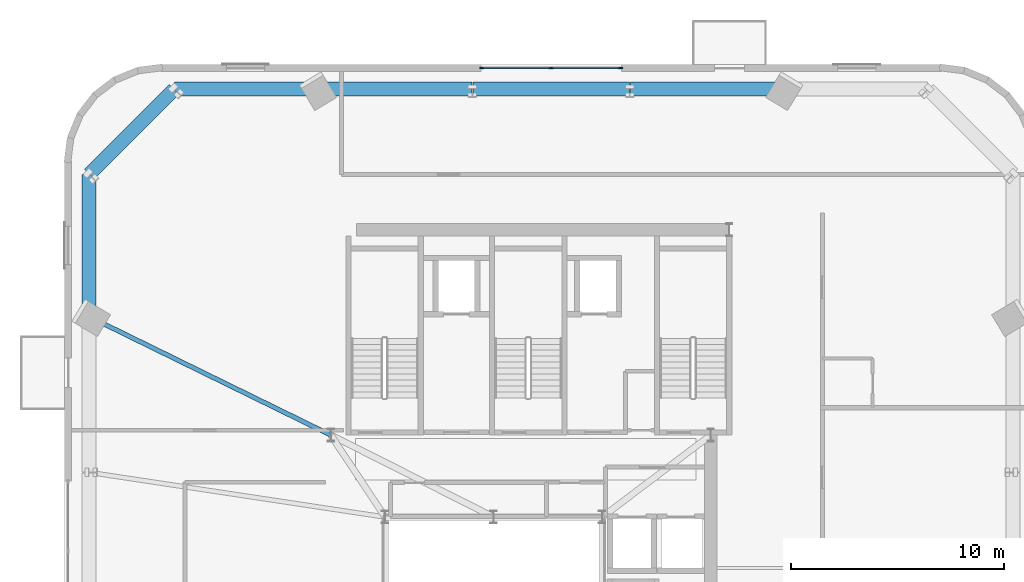
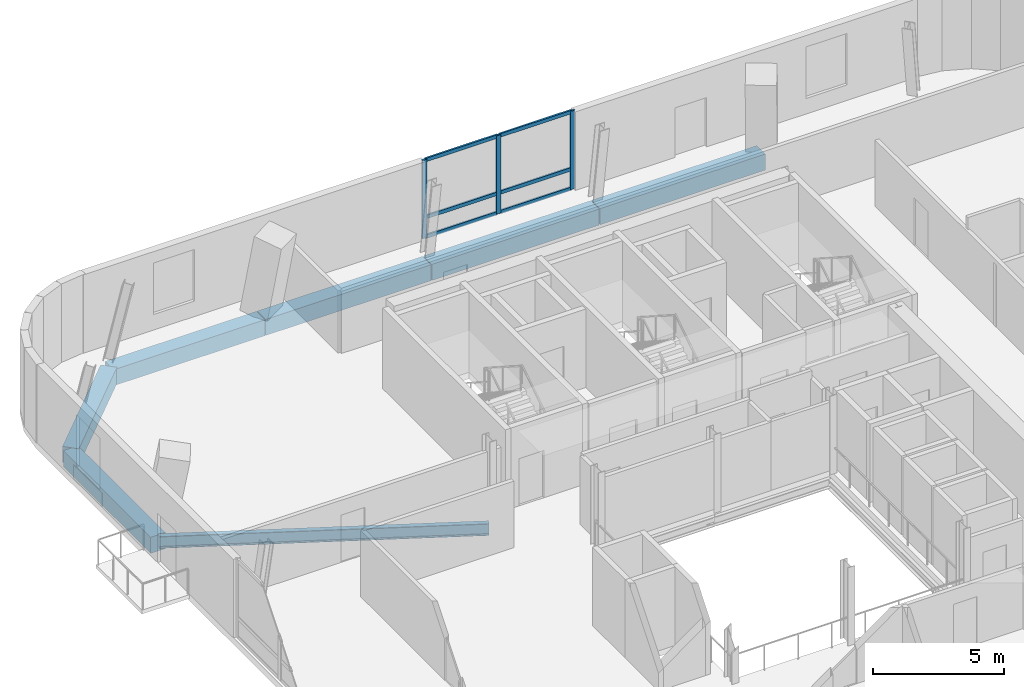
# One storey, part 6 of 15: 9 members, 7 beams, 1 element without a shape of its own.
"""IFC4 building model written with IfcOpenShell, lengths in metres."""

from ifc_helpers import new_model, si_unit, direction, frame, origin, origin_2d, place, context, subcontext, project, spatial, rectangle, i_section, extrude, source, transform, mapped, material, material_profile, profile_set, type_object, element, aggregate, save


model = new_model("IFC4")

# Units and contexts
model_context = context("Model", 3, precision=1e-05, world=origin(), true_north=direction((0.0, 1.0)))
body_context = subcontext(model_context, "Body", "Model", "MODEL_VIEW")
ifc_project = project(units=[si_unit("LENGTHUNIT", "METRE"), si_unit("AREAUNIT", "SQUARE_METRE"), si_unit("VOLUMEUNIT", "CUBIC_METRE"), si_unit("PLANEANGLEUNIT", "RADIAN"), si_unit("MASSUNIT", "GRAM", prefix="KILO")], contexts=[model_context])

# Site, building, storey
site_placement = place(None, origin())
site = spatial("IfcSite", under=ifc_project, at=site_placement, CompositionType="ELEMENT")
building_placement = place(site_placement, origin())
building = spatial("IfcBuilding", under=site, at=building_placement, Name="Vardaveli Station Tower", CompositionType="ELEMENT")
storey_placement = place(building_placement, frame((0.0, 0.0, 258.5)))
storey = spatial("IfcBuildingStorey", under=building, at=storey_placement, Name="L66", CompositionType="ELEMENT", Elevation=258.5)

# Beams
ifc_material_1 = material(Name="Precast concrete C45/55", Category="concrete")
ifc_material_profile_1 = material_profile(ifc_material_1, rectangle(XDim=0.64990234375, YDim=0.75, at=origin_2d()), Name="LPB 650x750")
ifc_profile_set_1 = profile_set([ifc_material_profile_1], Name="Precast concrete C45/55")
beam_type_1 = type_object("IfcBeamType", Name="BM-LPB-750", PredefinedType="BEAM", material=ifc_profile_set_1)
shared_shape_1 = source(origin(), body_context, "Body", "SweptSolid", [
    extrude(rectangle(XDim=0.64990234375, YDim=0.75, at=origin_2d()), origin(), (0.0, 0.0, 1.0), 7.35986328125),
])
beam_1_placement = place(storey_placement, frame((42.679931640625, 46.909912109375, -0.675048828125), z_axis=(-1.0, 0.0, 0.0), x_axis=(0.0, -1.0, 0.0)))
element("IfcBeam", 1, at=beam_1_placement, inside=storey, type_object=beam_type_1, Name="RBM-L66-14", PredefinedType="BEAM", context=body_context, shape_type="MappedRepresentation", body=[
    mapped(shared_shape_1, transform((0.0, 0.0, 0.0), scale=1.0)),
])
shared_shape_2 = source(origin(), body_context, "Body", "SweptSolid", [
    extrude(rectangle(XDim=0.64990234375, YDim=0.75, at=origin_2d()), origin(), (0.0, 0.0, 1.0), 5.61669921875),
])
beam_2_placement = place(storey_placement, frame((21.27587890625, 46.895751953125, -0.675048828125), z_axis=(-0.707106781187, -0.707106781187, 0.0), x_axis=(0.707106781187, -0.707106781187, 0.0)))
element("IfcBeam", 2, at=beam_2_placement, inside=storey, type_object=beam_type_1, Name="RBM-L66-17", PredefinedType="BEAM", context=body_context, shape_type="MappedRepresentation", body=[
    mapped(shared_shape_2, transform((0.0, 0.0, 0.0), scale=1.0)),
])
shared_shape_3 = source(origin(), body_context, "Body", "SweptSolid", [
    extrude(rectangle(XDim=0.64990234375, YDim=0.75, at=origin_2d()), origin(), (0.0, 0.0, 1.0), 7.276123046875),
])
for number, where, z_axis, x_axis, name in (
    (3, (49.99609375, 46.909912109375, -0.675048828125), (-1.0, 0.0, 0.0), (0.0, -1.0, 0.0), "RBM-L66-13"),
    (4, (35.280029296875, 46.909912109375, -0.675048828125), (-1.0, 0.0, 0.0), (0.0, -1.0, 0.0), "RBM-L66-15"),
):
    element("IfcBeam", number, at=place(storey_placement, frame(where, z_axis=z_axis, x_axis=x_axis)), inside=storey, type_object=beam_type_1, Name=name, PredefinedType="BEAM", context=body_context, shape_type="MappedRepresentation", body=[
        mapped(shared_shape_3, transform((0.0, 0.0, 0.0), scale=1.0)),
    ])
shared_shape_4 = source(origin(), body_context, "Body", "SweptSolid", [
    extrude(rectangle(XDim=0.64990234375, YDim=0.75, at=origin_2d()), origin(), (0.0, 0.0, 1.0), 6.654052734375),
])
beam_3_placement = place(storey_placement, frame((27.964111328125, 46.909912109375, -0.675048828125), z_axis=(-1.0, 0.0, 0.0), x_axis=(0.0, -1.0, 0.0)))
element("IfcBeam", 5, at=beam_3_placement, inside=storey, type_object=beam_type_1, Name="RBM-L66-16", PredefinedType="BEAM", context=body_context, shape_type="MappedRepresentation", body=[
    mapped(shared_shape_4, transform((0.0, 0.0, 0.0), scale=1.0)),
])
shared_shape_5 = source(origin(), body_context, "Body", "SweptSolid", [
    extrude(rectangle(XDim=0.64990234375, YDim=0.75, at=origin_2d()), origin(), (0.0, 0.0, 1.0), 6.65380859375),
])
beam_4_placement = place(storey_placement, frame((17.2900390625, 42.889892578125, -0.675048828125), z_axis=(0.0, -1.0, 0.0), x_axis=(1.0, 0.0, 0.0)))
element("IfcBeam", 6, at=beam_4_placement, inside=storey, type_object=beam_type_1, Name="RBM-L66-18", PredefinedType="BEAM", context=body_context, shape_type="MappedRepresentation", body=[
    mapped(shared_shape_5, transform((0.0, 0.0, 0.0), scale=1.0)),
])
ifc_material_2 = material(Name="Structural steel S355J2", Category="steel")
ifc_material_profile_2 = material_profile(ifc_material_2, i_section(OverallWidth=0.2099609375, OverallDepth=0.550048828125, WebThickness=0.010986328125, FlangeThickness=0.01708984375, FilletRadius=0.02392578125, at=origin_2d()), Name="IPE 550")
ifc_profile_set_2 = profile_set([ifc_material_profile_2], Name="Structural steel S355J2")
beam_type_2 = type_object("IfcBeamType", Name="BM-IPE550", PredefinedType="BEAM", material=ifc_profile_set_2)
shared_shape_6 = source(origin(), body_context, "Body", "SweptSolid", [
    extrude(i_section(OverallWidth=0.2099609375, OverallDepth=0.550048828125, WebThickness=0.010986328125, FlangeThickness=0.01708984375, FilletRadius=0.02392578125, at=origin_2d()), origin(), (0.0, 0.0, 1.0), 12.610595703125),
])
beam_5_placement = place(storey_placement, frame((17.307861328125, 36.207275390625, -0.574951171875), z_axis=(0.897999175102, -0.439997138077, 0.0), x_axis=(0.439997138077, 0.897999175102, 0.0)))
element("IfcBeam", 7, at=beam_5_placement, inside=storey, type_object=beam_type_2, Name="GBM-L66-12", PredefinedType="BEAM", context=body_context, shape_type="MappedRepresentation", body=[
    mapped(shared_shape_6, transform((0.0, 0.0, 0.0), scale=1.0)),
])

# Curtain wall, members
ifc_material_3 = material(Name="Travertine stone and solar-control glass", Category="masonry")
curtain_wall_type = type_object("IfcCurtainWallType", Name="CW-SYS-5", PredefinedType="NOTDEFINED", material=ifc_material_3)
curtain_wall_placement = place(storey_placement, origin())
curtain_wall = element("IfcCurtainWall", 8, at=curtain_wall_placement, inside=storey, type_object=curtain_wall_type, Name="CW-L66-N", PredefinedType="NOTDEFINED")
ifc_material_4 = material(Name="Anodised aluminium alloy 6063-T6", Category="aluminium")
ifc_material_profile_3 = material_profile(ifc_material_4, rectangle(XDim=0.080078125, YDim=0.1650390625, at=origin_2d()), Name="CWT 80x165")
ifc_profile_set_3 = profile_set([ifc_material_profile_3], Name="Anodised aluminium alloy 6063-T6")
member_type_1 = type_object("IfcMemberType", Name="CW-SYS-5-TRAN", PredefinedType="NOTDEFINED", material=ifc_profile_set_3)
shared_shape_7 = source(origin(), body_context, "Body", "SweptSolid", [
    extrude(rectangle(XDim=0.080078125, YDim=0.1650390625, at=origin_2d()), origin(), (0.0, 0.0, 1.0), 3.179931640625),
])
member_1_placement = place(storey_placement, frame((42.219970703125, 47.89990234375, 0.0400390625), z_axis=(-1.0, 0.0, 0.0), x_axis=(0.0, -1.0, 0.0)))
member_1 = element("IfcMember", 9, at=member_1_placement, type_object=member_type_1, Name="CW-5 transom 1.1", ObjectType="TRANSOM", PredefinedType="USERDEFINED", context=body_context, shape_type="MappedRepresentation", body=[
    mapped(shared_shape_7, transform((0.0, 0.0, 0.0), scale=1.0)),
])
member_2_placement = place(storey_placement, frame((42.219970703125, 47.89990234375, 0.949951171875), z_axis=(-1.0, 0.0, 0.0), x_axis=(0.0, -1.0, 0.0)))
member_2 = element("IfcMember", 10, at=member_2_placement, type_object=member_type_1, Name="CW-5 transom 1.2", ObjectType="TRANSOM", PredefinedType="USERDEFINED", context=body_context, shape_type="MappedRepresentation", body=[
    mapped(shared_shape_7, transform((0.0, 0.0, 0.0), scale=1.0)),
])
member_3_placement = place(storey_placement, frame((42.219970703125, 47.89990234375, 3.610107421875), z_axis=(-1.0, 0.0, 0.0), x_axis=(0.0, -1.0, 0.0)))
member_3 = element("IfcMember", 11, at=member_3_placement, type_object=member_type_1, Name="CW-5 transom 1.3", ObjectType="TRANSOM", PredefinedType="USERDEFINED", context=body_context, shape_type="MappedRepresentation", body=[
    mapped(shared_shape_7, transform((0.0, 0.0, 0.0), scale=1.0)),
])
member_4_placement = place(storey_placement, frame((38.9599609375, 47.89990234375, 0.0400390625), z_axis=(-1.0, 0.0, 0.0), x_axis=(0.0, -1.0, 0.0)))
member_4 = element("IfcMember", 12, at=member_4_placement, type_object=member_type_1, Name="CW-5 transom 2.1", ObjectType="TRANSOM", PredefinedType="USERDEFINED", context=body_context, shape_type="MappedRepresentation", body=[
    mapped(shared_shape_7, transform((0.0, 0.0, 0.0), scale=1.0)),
])
member_5_placement = place(storey_placement, frame((38.9599609375, 47.89990234375, 0.949951171875), z_axis=(-1.0, 0.0, 0.0), x_axis=(0.0, -1.0, 0.0)))
member_5 = element("IfcMember", 13, at=member_5_placement, type_object=member_type_1, Name="CW-5 transom 2.2", ObjectType="TRANSOM", PredefinedType="USERDEFINED", context=body_context, shape_type="MappedRepresentation", body=[
    mapped(shared_shape_7, transform((0.0, 0.0, 0.0), scale=1.0)),
])
member_6_placement = place(storey_placement, frame((38.9599609375, 47.89990234375, 3.610107421875), z_axis=(-1.0, 0.0, 0.0), x_axis=(0.0, -1.0, 0.0)))
member_6 = element("IfcMember", 14, at=member_6_placement, type_object=member_type_1, Name="CW-5 transom 2.3", ObjectType="TRANSOM", PredefinedType="USERDEFINED", context=body_context, shape_type="MappedRepresentation", body=[
    mapped(shared_shape_7, transform((0.0, 0.0, 0.0), scale=1.0)),
])
ifc_material_profile_4 = material_profile(ifc_material_4, rectangle(XDim=0.080078125, YDim=0.205078125, at=origin_2d()), Name="CWM 80x205")
ifc_profile_set_4 = profile_set([ifc_material_profile_4], Name="Anodised aluminium alloy 6063-T6")
member_type_2 = type_object("IfcMemberType", Name="CW-SYS-5-MULL", PredefinedType="MULLION", material=ifc_profile_set_4)
shared_shape_8 = source(origin(), body_context, "Body", "SweptSolid", [
    extrude(rectangle(XDim=0.080078125, YDim=0.205078125, at=origin_2d()), origin(), (0.0, 0.0, 1.0), 3.64990234375),
])
member_7_placement = place(storey_placement, frame((42.260009765625, 47.89990234375, 0.0), z_axis=(0.0, 0.0, 1.0), x_axis=(0.0, -1.0, 0.0)))
member_7 = element("IfcMember", 15, at=member_7_placement, type_object=member_type_2, Name="CW-5 mullion 1", PredefinedType="MULLION", context=body_context, shape_type="MappedRepresentation", body=[
    mapped(shared_shape_8, transform((0.0, 0.0, 0.0), scale=1.0)),
])
member_8_placement = place(storey_placement, frame((39.0, 47.89990234375, 0.0), z_axis=(0.0, 0.0, 1.0), x_axis=(0.0, -1.0, 0.0)))
member_8 = element("IfcMember", 16, at=member_8_placement, type_object=member_type_2, Name="CW-5 mullion 2", PredefinedType="MULLION", context=body_context, shape_type="MappedRepresentation", body=[
    mapped(shared_shape_8, transform((0.0, 0.0, 0.0), scale=1.0)),
])
member_9_placement = place(storey_placement, frame((35.739990234375, 47.89990234375, 0.0), z_axis=(0.0, 0.0, 1.0), x_axis=(0.0, -1.0, 0.0)))
member_9 = element("IfcMember", 17, at=member_9_placement, type_object=member_type_2, Name="CW-5 mullion 3", PredefinedType="MULLION", context=body_context, shape_type="MappedRepresentation", body=[
    mapped(shared_shape_8, transform((0.0, 0.0, 0.0), scale=1.0)),
])
aggregate(curtain_wall, [member_7, member_8, member_9, member_1, member_2, member_3, member_4, member_5, member_6])

save(model, "model.ifc")
